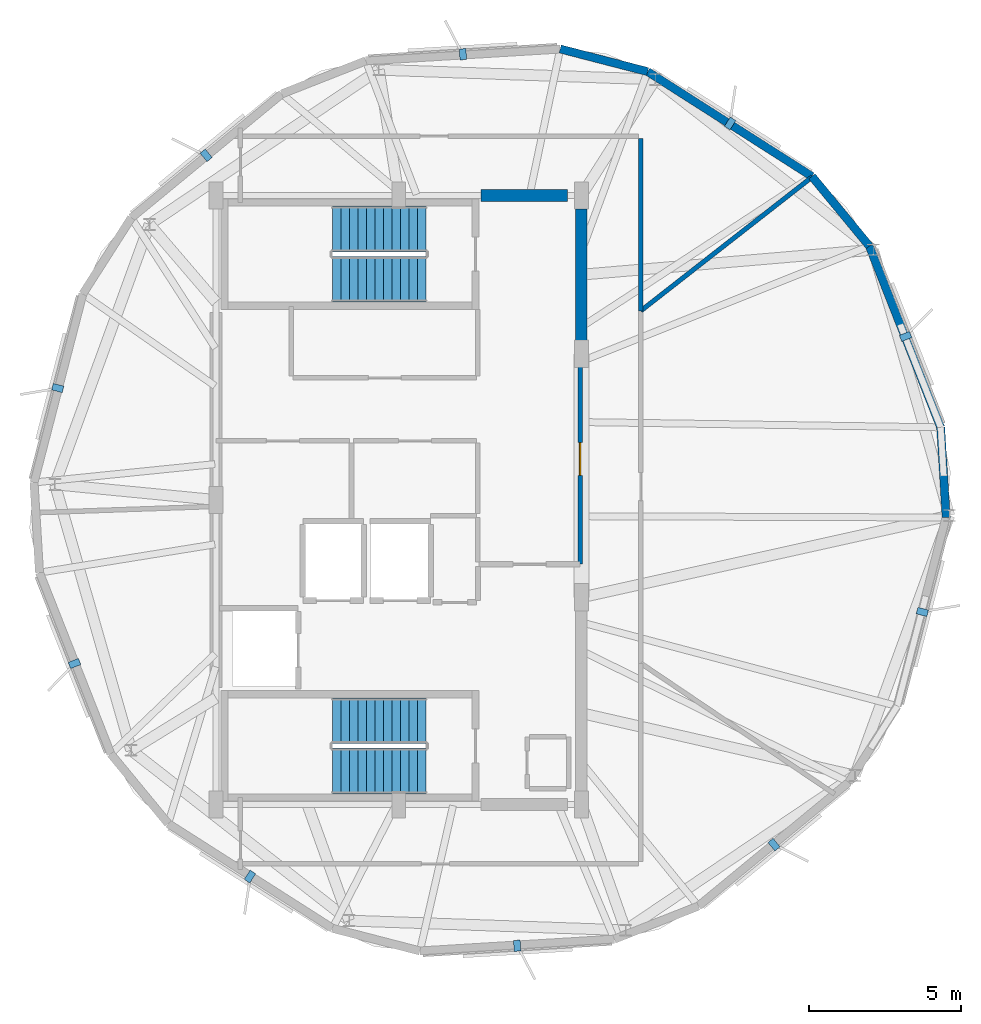
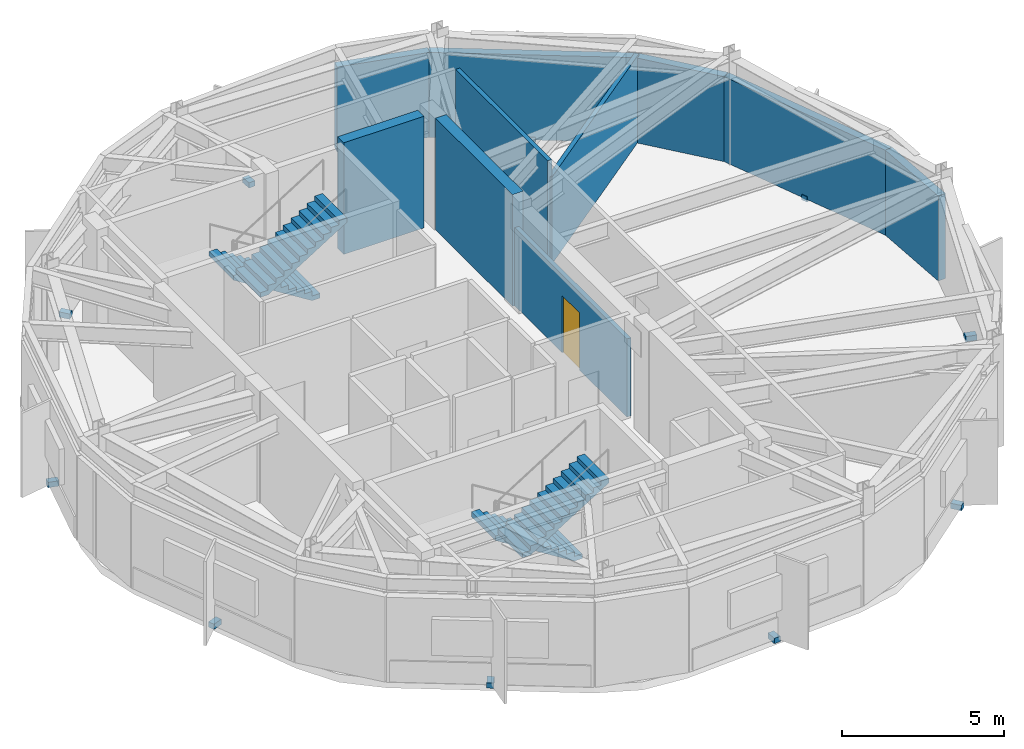
# One storey, part 4 of 6: 10 discrete accessories, 10 walls, 4 stair flights, 1 door, 1 opening, 2 elements without a shape of their own.
"""IFC4 building model written with IfcOpenShell, lengths in metres."""

from ifc_helpers import new_model, si_unit, direction, frame, frame_2d, origin, origin_2d, place, context, subcontext, project, spatial, polyline, rectangle, outline, extrude, material, layer, layer_set, type_object, element, fill, aggregate, save


model = new_model("IFC4")

# Units and contexts
model_context = context("Model", 3, precision=1e-05, world=origin(), true_north=direction((0.0, 1.0)))
body_context = subcontext(model_context, "Body", "Model", "MODEL_VIEW")
ifc_project = project(units=[si_unit("LENGTHUNIT", "METRE"), si_unit("AREAUNIT", "SQUARE_METRE"), si_unit("VOLUMEUNIT", "CUBIC_METRE"), si_unit("PLANEANGLEUNIT", "RADIAN"), si_unit("MASSUNIT", "GRAM", prefix="KILO")], contexts=[model_context])

# Site, building, storey
site_placement = place(None, origin())
site = spatial("IfcSite", under=ifc_project, at=site_placement, CompositionType="ELEMENT")
building_placement = place(site_placement, origin())
building = spatial("IfcBuilding", under=site, at=building_placement, Name="Soratama Intermodal Tower", CompositionType="ELEMENT")
storey_placement = place(building_placement, frame((0.0, 0.0, 314.050048828125)))
storey = spatial("IfcBuildingStorey", under=building, at=storey_placement, Name="L79", CompositionType="ELEMENT", Elevation=314.050048828125)

# Walls
ifc_material_1 = material(Name="Concrete f'c 42 MPa", Category="concrete")
ifc_layer_1 = layer(ifc_material_1, 0.27001953125)
ifc_layer_set_1 = layer_set([ifc_layer_1], Name="Concrete f'c 42 MPa")
wall_type_1 = type_object("IfcWallType", Name="EW-CRN-270", PredefinedType="SOLIDWALL", material=ifc_layer_set_1)
wall_1_placement = place(storey_placement, frame((56.58056640625, 24.425048828125, 0.0), z_axis=(0.0, 0.0, 1.0), x_axis=(-0.060738574932, 0.998153708361, 0.0)))
element("IfcWall", 1, at=wall_1_placement, inside=storey, type_object=wall_type_1, Name="L79 Corner Closure Wall 08", PredefinedType="SOLIDWALL", context=body_context, shape_type="SweptSolid", body=[
    extrude(rectangle(XDim=2.96630859375, YDim=0.27001953125, at=frame_2d((1.483154296875, 0.0))), origin(), (0.0, 0.0, 1.0), 3.195068359375),
])
wall_2_placement = place(storey_placement, frame((54.0576171875, 33.340087890625, 0.0), z_axis=(0.0, 0.0, 1.0), x_axis=(-0.635811091508, 0.771844709715, 0.0)))
element("IfcWall", 2, at=wall_2_placement, inside=storey, type_object=wall_type_1, Name="L79 Corner Closure Wall 09", PredefinedType="SOLIDWALL", context=body_context, shape_type="SweptSolid", body=[
    extrude(rectangle(XDim=2.966552734375, YDim=0.27001953125, at=frame_2d((1.4833984375, 0.0))), origin(), (0.0, 0.0, 1.0), 3.195068359375),
])
wall_3_placement = place(storey_placement, frame((56.400390625, 27.385986328125, 0.0), z_axis=(0.0, 0.0, 1.0), x_axis=(-0.366148142021, 0.930556574365, 0.0)))
element("IfcWall", 3, at=wall_3_placement, inside=storey, type_object=wall_type_1, Name="L79 Plant Wall F09", PredefinedType="SOLIDWALL", context=body_context, shape_type="SweptSolid", body=[
    extrude(rectangle(XDim=6.3984375, YDim=0.27001953125, at=frame_2d((3.19921875, 0.0))), origin(), (0.0, 0.0, 1.0), 3.195068359375),
])
wall_4_placement = place(storey_placement, frame((46.776123046875, 39.069580078125, 0.0), z_axis=(0.0, 0.0, 1.0), x_axis=(-0.968050189029, 0.250756518403, 0.0)))
element("IfcWall", 4, at=wall_4_placement, inside=storey, type_object=wall_type_1, Name="L79 Corner Closure Wall 10", PredefinedType="SOLIDWALL", context=body_context, shape_type="SweptSolid", body=[
    extrude(rectangle(XDim=2.966552734375, YDim=0.27001953125, at=frame_2d((1.4833984375, 0.0))), origin(), (0.0, 0.0, 1.0), 3.195068359375),
])
wall_5_placement = place(storey_placement, frame((52.17138671875, 35.6298828125, 0.0), z_axis=(0.0, 0.0, 1.0), x_axis=(-0.843211847945, 0.537581416611, 0.0)))
element("IfcWall", 5, at=wall_5_placement, inside=storey, type_object=wall_type_1, Name="L79 Plant Wall F10", PredefinedType="SOLIDWALL", context=body_context, shape_type="SweptSolid", body=[
    extrude(rectangle(XDim=6.3984375, YDim=0.27001953125, at=frame_2d((3.19921875, 0.0))), origin(), (0.0, 0.0, 1.0), 3.195068359375),
])
ifc_material_2 = material(Name="Fire-rated gypsum stud partition", Category="concrete")
ifc_layer_2 = layer(ifc_material_2, 0.14990234375)
ifc_layer_set_2 = layer_set([ifc_layer_2], Name="Fire-rated gypsum stud partition")
wall_type_2 = type_object("IfcWallType", Name="IW-PART-R150", PredefinedType="PARTITIONING", material=ifc_layer_set_2)
wall_6_placement = place(storey_placement, frame((52.18701171875, 35.615966796875, 0.0), z_axis=(0.0, 0.0, 1.0), x_axis=(-0.788012472805, -0.615659274846, 0.0)))
element("IfcWall", 6, at=wall_6_placement, inside=storey, type_object=wall_type_2, Name="L79 Partition W-L79-TP005", PredefinedType="PARTITIONING", context=body_context, shape_type="SweptSolid", body=[
    extrude(rectangle(XDim=7.1533203125, YDim=0.14990234375, at=frame_2d((3.57666015625, 0.0))), origin(), (0.0, 0.0, 1.0), 3.27294921875),
])

# Wall, opening, door
wall_7_placement = place(storey_placement, frame((44.56005859375, 29.800048828125, 0.0), z_axis=(0.0, 0.0, 1.0), x_axis=(0.0, -1.0, 0.0)))
wall_7 = element("IfcWall", 7, at=wall_7_placement, inside=storey, type_object=wall_type_2, Name="L79 Partition W-L79-TP006", PredefinedType="PARTITIONING", context=body_context, shape_type="SweptSolid", body=[
    extrude(rectangle(XDim=6.91015625, YDim=0.14990234375, at=frame_2d((3.455078125, 0.0))), origin(), (0.0, 0.0, 1.0), 2.93505859375),
])
opening_placement = place(wall_7_placement, frame((2.9150390625, 0.0, 0.0)))
opening = element("IfcOpeningElement", 8, at=opening_placement, cuts=wall_7, Name="Opening ID-1", PredefinedType="OPENING", context=body_context, shape_type="SweptSolid", body=[
    extrude(rectangle(XDim=1.080078125, YDim=2.14990234375, at=frame_2d((0.5400390625, 1.074951171875))), frame((0.0, 0.0849609375, 0.0), z_axis=(0.0, -1.0, 0.0), x_axis=(1.0, 0.0, 0.0)), (0.0, 0.0, 1.0), 0.169921875),
])
ifc_material_3 = material(Name="Solid hardwood acoustic door", Category="wood")
door_type = type_object("IfcDoorType", Name="DR-LOB-FD60", OperationType="NOTDEFINED", PredefinedType="DOOR", material=ifc_material_3)
door_placement = place(opening_placement, origin())
door = element("IfcDoor", 9, at=door_placement, inside=storey, type_object=door_type, Name="L79 Door D-L79-TP004", OperationType="SINGLE_SWING_LEFT", OverallHeight=2.14990234375, OverallWidth=1.080078125, PredefinedType="DOOR", context=body_context, shape_type="SweptSolid", body=[
    extrude(rectangle(XDim=1.080078125, YDim=2.14990234375, at=frame_2d((0.5400390625, 1.074951171875))), frame((0.0, 0.02490234375, 0.0), z_axis=(0.0, -1.0, 0.0), x_axis=(1.0, 0.0, 0.0)), (0.0, 0.0, 1.0), 0.050048828125),
])
fill(opening, door)

# Walls
wall_8_placement = place(storey_placement, frame((46.550048828125, 36.8798828125, 0.0), z_axis=(0.0, 0.0, 1.0), x_axis=(0.0, -1.0, 0.0)))
element("IfcWall", 10, at=wall_8_placement, inside=storey, type_object=wall_type_2, Name="L79 Partition W-L79-TP010", PredefinedType="PARTITIONING", context=body_context, shape_type="SweptSolid", body=[
    extrude(rectangle(XDim=5.66796875, YDim=0.14990234375, at=frame_2d((2.833984375, 0.0))), origin(), (0.0, 0.0, 1.0), 3.89501953125),
])
ifc_material_4 = material(Name="Concrete f'c 56 MPa", Category="concrete")
ifc_layer_3 = layer(ifc_material_4, 0.3798828125)
ifc_layer_set_3 = layer_set([ifc_layer_3], Name="Concrete f'c 56 MPa")
wall_type_3 = type_object("IfcWallType", Name="SW-CORE-380", PredefinedType="SHEAR", material=ifc_layer_set_3)
wall_9_placement = place(storey_placement, frame((41.300048828125, 35.0, 0.0), z_axis=(0.0, 0.0, 1.0), x_axis=(1.0, 0.0, 0.0)))
element("IfcWall", 11, at=wall_9_placement, inside=storey, type_object=wall_type_3, Name="L79 Core Shear Wall CW-NE", PredefinedType="SHEAR", context=body_context, shape_type="SweptSolid", body=[
    extrude(rectangle(XDim=2.849853515625, YDim=0.3798828125, at=frame_2d((1.4248046875, 0.0))), origin(), (0.0, 0.0, 1.0), 4.199951171875),
])
wall_10_placement = place(storey_placement, frame((44.60009765625, 29.800048828125, 0.0), z_axis=(0.0, 0.0, 1.0), x_axis=(0.0, 1.0, 0.0)))
element("IfcWall", 12, at=wall_10_placement, inside=storey, type_object=wall_type_3, Name="L79 Core Shear Wall CW-EN", PredefinedType="SHEAR", context=body_context, shape_type="SweptSolid", body=[
    extrude(rectangle(XDim=4.75, YDim=0.3798828125, at=frame_2d((2.375, 0.0))), origin(), (0.0, 0.0, 1.0), 4.199951171875),
])

# Stair, stair flights
ifc_material_5 = material(Name="Concrete f'c 42 MPa", Category="concrete")
stair_type = type_object("IfcStairType", Name="ST-CORE-DOGLEG", PredefinedType="HALF_TURN_STAIR", material=ifc_material_5)
stair_1_placement = place(storey_placement, origin())
stair_1 = element("IfcStair", 13, at=stair_1_placement, inside=storey, type_object=stair_type, Name="L79 ST-1", PredefinedType="HALF_TURN_STAIR")
ifc_material_6 = material(Name="Precast concrete f'c 40 MPa", Category="concrete")
ifc_layer_4 = layer(ifc_material_6, 0.199951171875)
ifc_layer_set_4 = layer_set([ifc_layer_4], Name="Precast concrete f'c 40 MPa")
stair_flight_type = type_object("IfcStairFlightType", Name="SF-FLIGHT-RC", PredefinedType="STRAIGHT", material=ifc_layer_set_4)
stair_flight_1_placement = place(storey_placement, frame((39.5, 17.75, 0.0), z_axis=(0.0, 0.0, 1.0), x_axis=(-1.0, 0.0, 0.0)))
stair_flight_1 = element("IfcStairFlight", 14, at=stair_flight_1_placement, type_object=stair_flight_type, Name="ST-1 flight 1", NumberOfRisers=12, NumberOfTreads=11, PredefinedType="STRAIGHT", RiserHeight=0.175, TreadLength=0.28, context=body_context, shape_type="SweptSolid", body=[
    extrude(outline(polyline([(0.0, 0.0), (0.0, 0.175048828125), (0.280029296875, 0.175048828125), (0.280029296875, 0.35009765625), (0.56005859375, 0.35009765625), (0.56005859375, 0.52490234375), (0.840087890625, 0.52490234375), (0.840087890625, 0.699951171875), (1.1201171875, 0.699951171875), (1.1201171875, 0.875), (1.39990234375, 0.875), (1.39990234375, 1.050048828125), (1.679931640625, 1.050048828125), (1.679931640625, 1.22509765625), (1.9599609375, 1.22509765625), (1.9599609375, 1.39990234375), (2.239990234375, 1.39990234375), (2.239990234375, 1.574951171875), (2.52001953125, 1.574951171875), (2.52001953125, 1.75), (2.800048828125, 1.75), (2.800048828125, 1.925048828125), (3.080078125, 1.925048828125), (3.080078125, 2.10009765625), (3.080078125, 1.748291015625), (0.28271484375, 0.0), (0.0, 0.0)])), frame((0.0, 0.75, 0.0), z_axis=(0.0, -1.0, 0.0), x_axis=(1.0, 0.0, 0.0)), (0.0, 0.0, 1.0), 1.5),
])
stair_flight_2_placement = place(storey_placement, frame((36.419921875, 16.10009765625, 2.099853515625), z_axis=(0.0, 0.0, 1.0), x_axis=(1.0, 0.0, 0.0)))
stair_flight_2 = element("IfcStairFlight", 15, at=stair_flight_2_placement, type_object=stair_flight_type, Name="ST-1 flight 2", NumberOfRisers=12, NumberOfTreads=11, PredefinedType="STRAIGHT", RiserHeight=0.175, TreadLength=0.28, context=body_context, shape_type="SweptSolid", body=[
    extrude(outline(polyline([(0.0, 0.0), (0.0, 0.175048828125), (0.280029296875, 0.175048828125), (0.280029296875, 0.35009765625), (0.56005859375, 0.35009765625), (0.56005859375, 0.52490234375), (0.840087890625, 0.52490234375), (0.840087890625, 0.699951171875), (1.1201171875, 0.699951171875), (1.1201171875, 0.875), (1.39990234375, 0.875), (1.39990234375, 1.050048828125), (1.679931640625, 1.050048828125), (1.679931640625, 1.22509765625), (1.9599609375, 1.22509765625), (1.9599609375, 1.39990234375), (2.239990234375, 1.39990234375), (2.239990234375, 1.574951171875), (2.52001953125, 1.574951171875), (2.52001953125, 1.75), (2.800048828125, 1.75), (2.800048828125, 1.925048828125), (3.080078125, 1.925048828125), (3.080078125, 2.10009765625), (3.080078125, 1.748291015625), (0.28271484375, 0.0), (0.0, 0.0)])), frame((0.0, 0.75, 0.0), z_axis=(0.0, -1.0, 0.0), x_axis=(1.0, 0.0, 0.0)), (0.0, 0.0, 1.0), 1.5),
])
aggregate(stair_1, [stair_flight_1, stair_flight_2])

stair_2_placement = place(storey_placement, origin())
stair_2 = element("IfcStair", 16, at=stair_2_placement, inside=storey, type_object=stair_type, Name="L79 ST-2", PredefinedType="HALF_TURN_STAIR")
stair_flight_3_placement = place(storey_placement, frame((39.5, 33.89990234375, 0.0), z_axis=(0.0, 0.0, 1.0), x_axis=(-1.0, 0.0, 0.0)))
stair_flight_3 = element("IfcStairFlight", 17, at=stair_flight_3_placement, type_object=stair_flight_type, Name="ST-2 flight 1", NumberOfRisers=12, NumberOfTreads=11, PredefinedType="STRAIGHT", RiserHeight=0.175, TreadLength=0.28, context=body_context, shape_type="SweptSolid", body=[
    extrude(outline(polyline([(0.0, 0.0), (0.0, 0.175048828125), (0.280029296875, 0.175048828125), (0.280029296875, 0.35009765625), (0.56005859375, 0.35009765625), (0.56005859375, 0.52490234375), (0.840087890625, 0.52490234375), (0.840087890625, 0.699951171875), (1.1201171875, 0.699951171875), (1.1201171875, 0.875), (1.39990234375, 0.875), (1.39990234375, 1.050048828125), (1.679931640625, 1.050048828125), (1.679931640625, 1.22509765625), (1.9599609375, 1.22509765625), (1.9599609375, 1.39990234375), (2.239990234375, 1.39990234375), (2.239990234375, 1.574951171875), (2.52001953125, 1.574951171875), (2.52001953125, 1.75), (2.800048828125, 1.75), (2.800048828125, 1.925048828125), (3.080078125, 1.925048828125), (3.080078125, 2.10009765625), (3.080078125, 1.748291015625), (0.28271484375, 0.0), (0.0, 0.0)])), frame((0.0, 0.75, 0.0), z_axis=(0.0, -1.0, 0.0), x_axis=(1.0, 0.0, 0.0)), (0.0, 0.0, 1.0), 1.5),
])
stair_flight_4_placement = place(storey_placement, frame((36.419921875, 32.25, 2.099853515625), z_axis=(0.0, 0.0, 1.0), x_axis=(1.0, 0.0, 0.0)))
stair_flight_4 = element("IfcStairFlight", 18, at=stair_flight_4_placement, type_object=stair_flight_type, Name="ST-2 flight 2", NumberOfRisers=12, NumberOfTreads=11, PredefinedType="STRAIGHT", RiserHeight=0.175, TreadLength=0.28, context=body_context, shape_type="SweptSolid", body=[
    extrude(outline(polyline([(0.0, 0.0), (0.0, 0.175048828125), (0.280029296875, 0.175048828125), (0.280029296875, 0.35009765625), (0.56005859375, 0.35009765625), (0.56005859375, 0.52490234375), (0.840087890625, 0.52490234375), (0.840087890625, 0.699951171875), (1.1201171875, 0.699951171875), (1.1201171875, 0.875), (1.39990234375, 0.875), (1.39990234375, 1.050048828125), (1.679931640625, 1.050048828125), (1.679931640625, 1.22509765625), (1.9599609375, 1.22509765625), (1.9599609375, 1.39990234375), (2.239990234375, 1.39990234375), (2.239990234375, 1.574951171875), (2.52001953125, 1.574951171875), (2.52001953125, 1.75), (2.800048828125, 1.75), (2.800048828125, 1.925048828125), (3.080078125, 1.925048828125), (3.080078125, 2.10009765625), (3.080078125, 1.748291015625), (0.28271484375, 0.0), (0.0, 0.0)])), frame((0.0, 0.75, 0.0), z_axis=(0.0, -1.0, 0.0), x_axis=(1.0, 0.0, 0.0)), (0.0, 0.0, 1.0), 1.5),
])
aggregate(stair_2, [stair_flight_3, stair_flight_4])

# Discrete accessories
ifc_material_7 = material(Name="Structural steel ASTM A992 Grade 50", Category="steel")
discrete_accessory_type = type_object("IfcDiscreteAccessoryType", Name="AC-FIN-BRACKET", PredefinedType="BRACKET", material=ifc_material_7)
for number, where, z_axis, x_axis, name in (
    (19, (40.709716796875, 39.639404296875, -0.080078125), (0.0, 0.0, 1.0), (-0.06070012105, 0.998156047572, 0.0), "L79 Fin Bracket F01-1"),
    (20, (32.27490234375, 36.320068359375, -0.080078125), (0.0, 0.0, 1.0), (-0.63580883374, 0.771846569558, 0.0), "L79 Fin Bracket F02-1"),
    (21, (27.402099609375, 28.677001953125, -0.080078125), (0.0, 0.0, 1.0), (-0.968060182288, 0.250717936073, 0.0), "L79 Fin Bracket F03-1"),
    (22, (27.952392578125, 19.62939453125, -0.080078125), (0.0, 0.0, 1.0), (-0.930545444358, -0.366176427403, 0.0), "L79 Fin Bracket F04-1"),
    (23, (33.715576171875, 12.63330078125, -0.080078125), (0.0, 0.0, 1.0), (-0.537593974759, -0.84320384149, 0.0), "L79 Fin Bracket F05-1"),
    (24, (42.490234375, 10.360595703125, -0.080078125), (0.0, 0.0, 1.0), (0.06070012105, -0.998156047572, 0.0), "L79 Fin Bracket F06-1"),
    (25, (50.925048828125, 13.679931640625, -0.080078125), (0.0, 0.0, 1.0), (0.63580883374, -0.771846569558, 0.0), "L79 Fin Bracket F07-1"),
    (26, (55.7978515625, 21.322998046875, -0.080078125), (0.0, 0.0, 1.0), (0.968060182288, -0.250717936073, 0.0), "L79 Fin Bracket F08-1"),
    (27, (55.24755859375, 30.37060546875, -0.080078125), (0.0, 0.0, 1.0), (0.930545444358, 0.366176427403, 0.0), "L79 Fin Bracket F09-1"),
    (28, (49.484619140625, 37.36669921875, -0.080078125), (0.0, 0.0, 1.0), (0.537593974759, 0.84320384149, 0.0), "L79 Fin Bracket F10-1"),
):
    element("IfcDiscreteAccessory", number, at=place(storey_placement, frame(where, z_axis=z_axis, x_axis=x_axis)), inside=storey, type_object=discrete_accessory_type, Name=name, PredefinedType="BRACKET", context=body_context, shape_type="SweptSolid", body=[
        extrude(rectangle(XDim=0.360107421875, YDim=0.219970703125, at=origin_2d()), origin(), (0.0, 0.0, 1.0), 0.199951171875),
    ])

save(model, "model.ifc")
